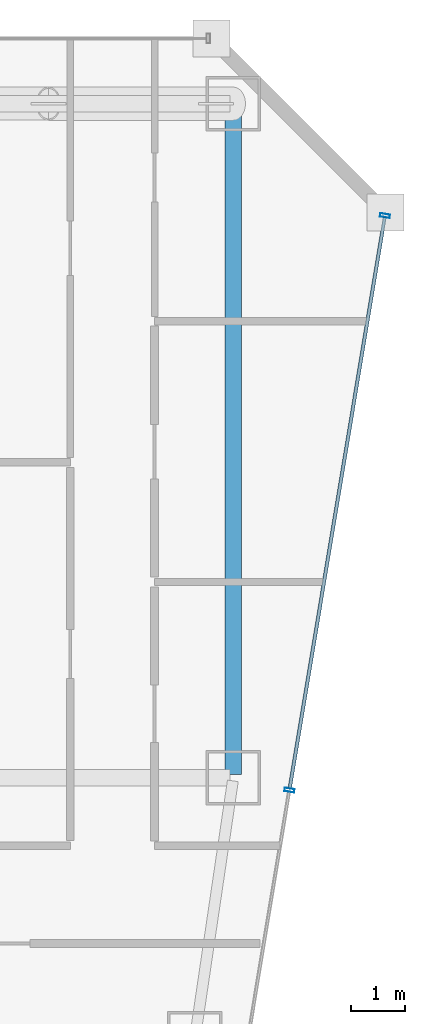
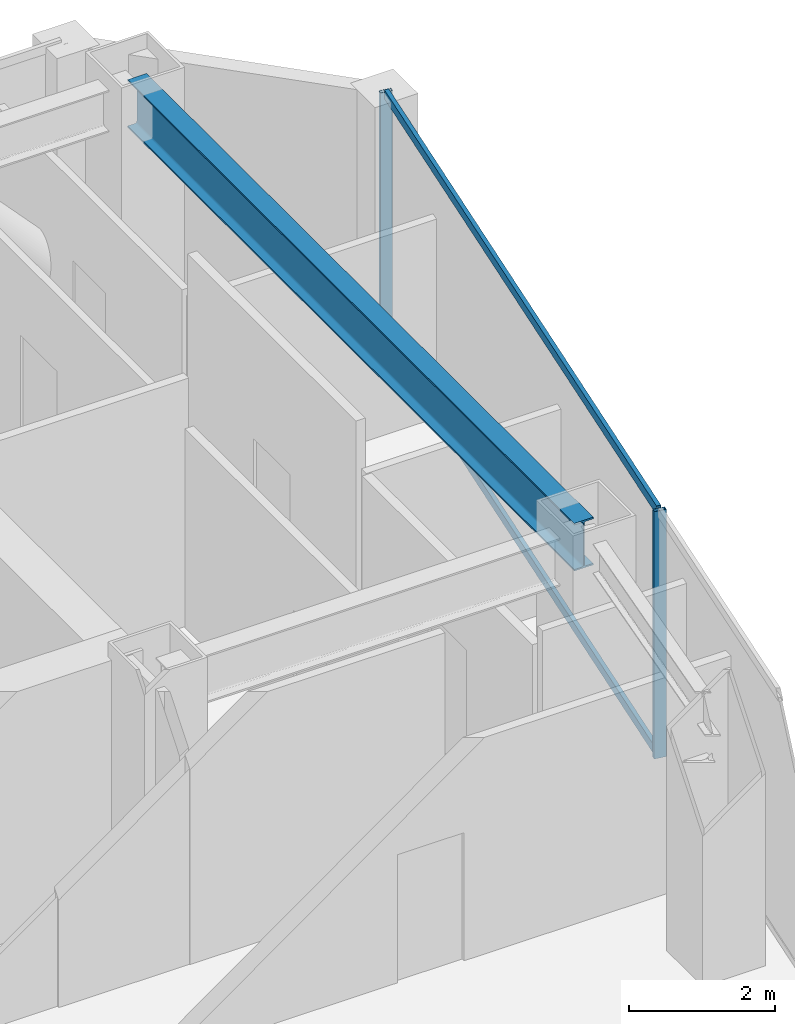
# One storey, part 27 of 37: 4 members, 1 beam, 1 element without a shape of its own.
"""IFC4 building model written with IfcOpenShell, lengths in metres."""

from ifc_helpers import new_model, si_unit, direction, frame, origin, origin_2d, place, context, subcontext, project, spatial, hollow_rectangle, i_section, extrude, material, material_profile, profile_set, type_object, element, aggregate, save


model = new_model("IFC4")

# Units and contexts
model_context = context("Model", 3, precision=1e-05, world=origin(), true_north=direction((0.0, 1.0)))
body_context = subcontext(model_context, "Body", "Model", "MODEL_VIEW")
ifc_project = project(units=[si_unit("LENGTHUNIT", "METRE"), si_unit("AREAUNIT", "SQUARE_METRE"), si_unit("VOLUMEUNIT", "CUBIC_METRE"), si_unit("PLANEANGLEUNIT", "RADIAN"), si_unit("MASSUNIT", "GRAM", prefix="KILO")], contexts=[model_context])

# Site, building, storey
site_placement = place(None, origin())
site = spatial("IfcSite", under=ifc_project, at=site_placement, CompositionType="ELEMENT")
building_placement = place(site_placement, origin())
building = spatial("IfcBuilding", under=site, at=building_placement, Name="Saevonmaru Cultural Tower", CompositionType="ELEMENT")
storey_placement = place(building_placement, frame((0.0, 0.0, 110.39990234375)))
storey = spatial("IfcBuildingStorey", under=building, at=storey_placement, Name="L23", CompositionType="ELEMENT", Elevation=110.39990234375)

# Beam
ifc_material_1 = material(Name="Steel SM420", Category="steel")
ifc_material_profile_1 = material_profile(ifc_material_1, i_section(OverallWidth=0.300048828125, OverallDepth=0.800048828125, WebThickness=0.013916015625, FlangeThickness=0.02587890625, FilletRadius=0.028076171875, at=origin_2d()), Name="H-800x300x14x26")
ifc_profile_set_1 = profile_set([ifc_material_profile_1], Name="Steel SM420")
beam_type = type_object("IfcBeamType", Name="BM-G-H800", PredefinedType="BEAM", material=ifc_profile_set_1)
beam_placement = place(storey_placement, frame((53.199951171875, 54.739990234375, 3.75), z_axis=(0.0, -1.0, 0.0), x_axis=(1.0, 0.0, 0.0)))
element("IfcBeam", 1, at=beam_placement, inside=storey, type_object=beam_type, Name="L23 Spine Transverse Girder E", PredefinedType="BEAM", context=body_context, shape_type="SweptSolid", body=[
    extrude(i_section(OverallWidth=0.300048828125, OverallDepth=0.800048828125, WebThickness=0.013916015625, FlangeThickness=0.02587890625, FilletRadius=0.028076171875, at=origin_2d()), origin(), (0.0, 0.0, 1.0), 12.280029296875),
])

# Curtain wall, members
ifc_material_2 = material(Name="Satin Bronze Anodised Aluminium", Category="aluminium")
curtain_wall_type = type_object("IfcCurtainWallType", Name="CW-TYP-A", PredefinedType="NOTDEFINED", material=ifc_material_2)
curtain_wall_placement = place(storey_placement, origin())
curtain_wall = element("IfcCurtainWall", 2, at=curtain_wall_placement, inside=storey, type_object=curtain_wall_type, Name="L23 Unitised Curtain Wall E8", PredefinedType="NOTDEFINED")
ifc_material_profile_2 = material_profile(ifc_material_2, hollow_rectangle(XDim=0.06494140625, YDim=0.179931640625, WallThickness=0.00390625, at=origin_2d()), Name="ALU-MULL-180x65x4")
ifc_profile_set_2 = profile_set([ifc_material_profile_2], Name="Satin Bronze Anodised Aluminium")
member_type_1 = type_object("IfcMemberType", Name="ML-CW-180x65", PredefinedType="MULLION", material=ifc_profile_set_2)
member_1_placement = place(storey_placement, frame((54.23291015625, 42.17041015625, 0.0), z_axis=(0.0, 0.0, 1.0), x_axis=(0.163998702345, 0.986460554523, 0.0)))
member_1 = element("IfcMember", 3, at=member_1_placement, type_object=member_type_1, Name="CW-TW-L23-E8 mullion 4", PredefinedType="MULLION", context=body_context, shape_type="SweptSolid", body=[
    extrude(hollow_rectangle(XDim=0.06494140625, YDim=0.179931640625, WallThickness=0.00390625, at=origin_2d()), origin(), (0.0, 0.0, 1.0), 4.150146484375),
])
member_2_placement = place(storey_placement, frame((55.990234375, 52.74072265625, 0.0), z_axis=(0.0, 0.0, 1.0), x_axis=(0.163998702345, 0.986460554523, 0.0)))
member_2 = element("IfcMember", 4, at=member_2_placement, type_object=member_type_1, Name="CW-TW-L23-E8 mullion 5", PredefinedType="MULLION", context=body_context, shape_type="SweptSolid", body=[
    extrude(hollow_rectangle(XDim=0.06494140625, YDim=0.179931640625, WallThickness=0.00390625, at=origin_2d()), origin(), (0.0, 0.0, 1.0), 4.150146484375),
])
ifc_material_profile_3 = material_profile(ifc_material_2, hollow_rectangle(XDim=0.06494140625, YDim=0.14990234375, WallThickness=0.00390625, at=origin_2d()), Name="ALU-TRAN-150x65x4")
ifc_profile_set_3 = profile_set([ifc_material_profile_3], Name="Satin Bronze Anodised Aluminium")
member_type_2 = type_object("IfcMemberType", Name="TR-CW-150x65", PredefinedType="USERDEFINED", material=ifc_profile_set_3)
member_3_placement = place(storey_placement, frame((54.23828125, 42.202392578125, 0.03271484375), z_axis=(0.163990079074, 0.9864619881, 0.0), x_axis=(-0.9864619881, 0.163990079074, 0.0)))
member_3 = element("IfcMember", 5, at=member_3_placement, type_object=member_type_2, Name="CW-TW-L23-E8 transom 4.1", ObjectType="TRANSOM", PredefinedType="USERDEFINED", context=body_context, shape_type="SweptSolid", body=[
    extrude(hollow_rectangle(XDim=0.06494140625, YDim=0.14990234375, WallThickness=0.00390625, at=origin_2d()), origin(), (0.0, 0.0, 1.0), 10.650634765625),
])
member_4_placement = place(storey_placement, frame((54.23828125, 42.202392578125, 4.11767578125), z_axis=(0.163990079074, 0.9864619881, 0.0), x_axis=(-0.9864619881, 0.163990079074, 0.0)))
member_4 = element("IfcMember", 6, at=member_4_placement, type_object=member_type_2, Name="CW-TW-L23-E8 transom 4.2", ObjectType="TRANSOM", PredefinedType="USERDEFINED", context=body_context, shape_type="SweptSolid", body=[
    extrude(hollow_rectangle(XDim=0.06494140625, YDim=0.14990234375, WallThickness=0.00390625, at=origin_2d()), origin(), (0.0, 0.0, 1.0), 10.650634765625),
])
aggregate(curtain_wall, [member_1, member_2, member_3, member_4])

save(model, "model.ifc")
